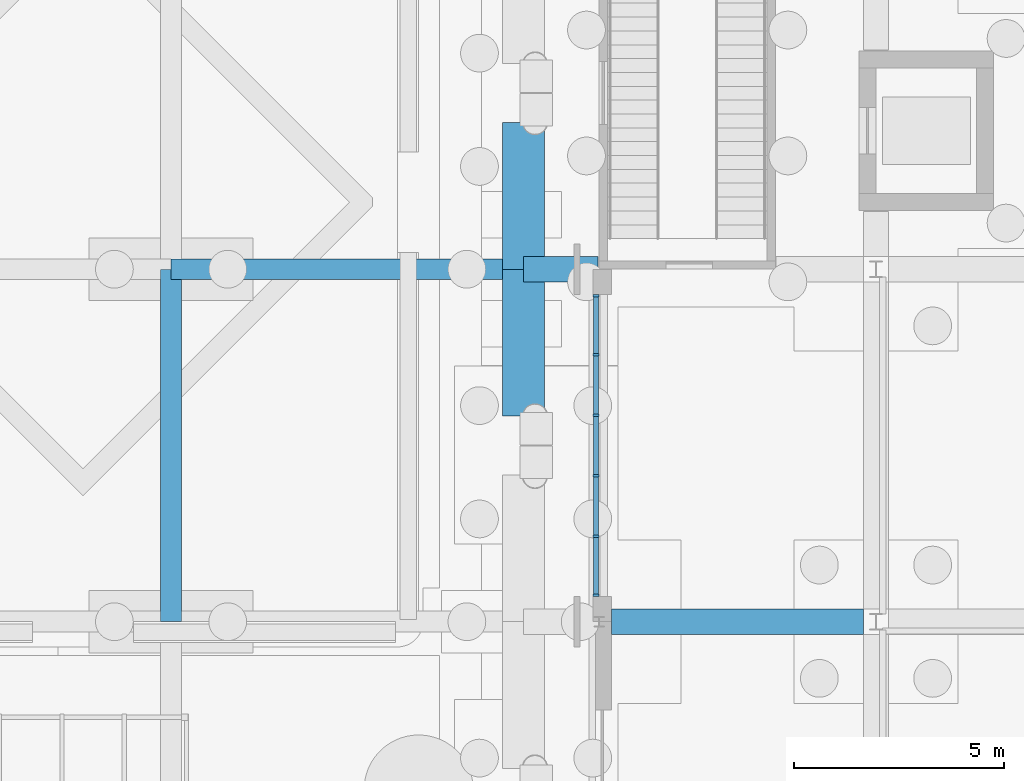
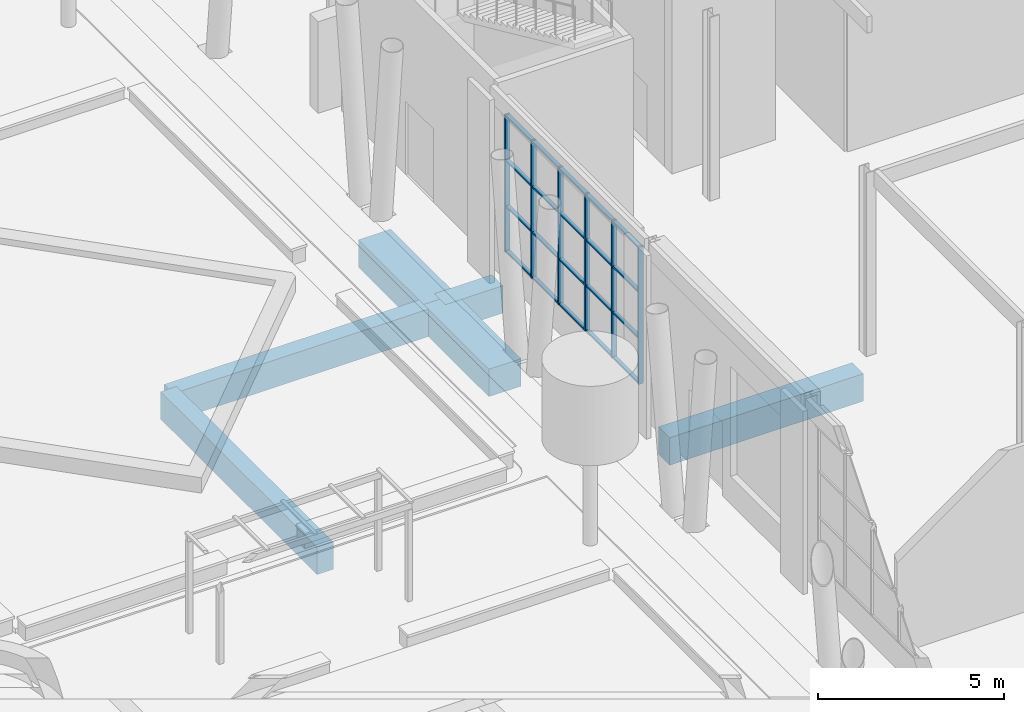
# One storey, part 47 of 222: 26 members, 6 beams, 1 element without a shape of its own.
"""IFC4 building model written with IfcOpenShell, lengths in metres."""

from ifc_helpers import new_model, si_unit, direction, frame, origin, origin_2d, place, context, subcontext, project, spatial, rectangle, extrude, material, material_profile, profile_set, type_object, element, aggregate, save


model = new_model("IFC4")

# Units and contexts
model_context = context("Model", 3, precision=1e-05, world=origin(), true_north=direction((0.0, 1.0)))
body_context = subcontext(model_context, "Body", "Model", "MODEL_VIEW")
ifc_project = project(units=[si_unit("LENGTHUNIT", "METRE"), si_unit("AREAUNIT", "SQUARE_METRE"), si_unit("VOLUMEUNIT", "CUBIC_METRE"), si_unit("PLANEANGLEUNIT", "RADIAN"), si_unit("MASSUNIT", "GRAM", prefix="KILO")], contexts=[model_context])

# Site, building, storey
site_placement = place(None, origin())
site = spatial("IfcSite", under=ifc_project, at=site_placement, CompositionType="ELEMENT")
building_placement = place(site_placement, origin())
building = spatial("IfcBuilding", under=site, at=building_placement, Name="Sava Quay Ferry Terminal", CompositionType="ELEMENT")
storey_placement = place(building_placement, origin())
storey = spatial("IfcBuildingStorey", under=building, at=storey_placement, Name="L00", CompositionType="ELEMENT", Elevation=0.0)

# Curtain wall, members
ifc_material_1 = material(Name="Aluminium and glass curtain wall, double low-e glazed", Category="aluminium")
curtain_wall_type = type_object("IfcCurtainWallType", Name="Curtain wall CW-F flank", PredefinedType="NOTDEFINED", material=ifc_material_1)
curtain_wall_placement = place(storey_placement, origin())
curtain_wall = element("IfcCurtainWall", 1, at=curtain_wall_placement, inside=storey, type_object=curtain_wall_type, Name="Curtain wall D-W L00 bay 5", PredefinedType="NOTDEFINED")
ifc_material_2 = material(Name="Aluminium EN AW-6063 T6", Category="aluminium")
ifc_material_profile_1 = material_profile(ifc_material_2, rectangle(XDim=0.14990234375, YDim=0.06005859375, at=origin_2d()), Name="Mullion 60x150 aluminium")
ifc_profile_set_1 = profile_set([ifc_material_profile_1], Name="Aluminium EN AW-6063 T6")
member_type_1 = type_object("IfcMemberType", Name="Mullion 60x150 aluminium", PredefinedType="MULLION", material=ifc_profile_set_1)
member_1_placement = place(storey_placement, frame((43.72509765625, 84.6298828125, 0.89990234375), z_axis=(0.0, 0.0, 1.0), x_axis=(-1.0, 0.0, 0.0)))
member_1 = element("IfcMember", 2, at=member_1_placement, type_object=member_type_1, Name="CW110 mullion 1", PredefinedType="MULLION", context=body_context, shape_type="SweptSolid", body=[
    extrude(rectangle(XDim=0.14990234375, YDim=0.06005859375, at=origin_2d()), origin(), (0.0, 0.0, 1.0), 4.5),
])
member_2_placement = place(storey_placement, frame((43.72509765625, 86.0400390625, 0.89990234375), z_axis=(0.0, 0.0, 1.0), x_axis=(-1.0, 0.0, 0.0)))
member_2 = element("IfcMember", 3, at=member_2_placement, type_object=member_type_1, Name="CW110 mullion 2", PredefinedType="MULLION", context=body_context, shape_type="SweptSolid", body=[
    extrude(rectangle(XDim=0.14990234375, YDim=0.06005859375, at=origin_2d()), origin(), (0.0, 0.0, 1.0), 4.5),
])
member_3_placement = place(storey_placement, frame((43.72509765625, 87.47998046875, 0.89990234375), z_axis=(0.0, 0.0, 1.0), x_axis=(-1.0, 0.0, 0.0)))
member_3 = element("IfcMember", 4, at=member_3_placement, type_object=member_type_1, Name="CW110 mullion 3", PredefinedType="MULLION", context=body_context, shape_type="SweptSolid", body=[
    extrude(rectangle(XDim=0.14990234375, YDim=0.06005859375, at=origin_2d()), origin(), (0.0, 0.0, 1.0), 4.5),
])
member_4_placement = place(storey_placement, frame((43.72509765625, 88.919921875, 0.89990234375), z_axis=(0.0, 0.0, 1.0), x_axis=(-1.0, 0.0, 0.0)))
member_4 = element("IfcMember", 5, at=member_4_placement, type_object=member_type_1, Name="CW110 mullion 4", PredefinedType="MULLION", context=body_context, shape_type="SweptSolid", body=[
    extrude(rectangle(XDim=0.14990234375, YDim=0.06005859375, at=origin_2d()), origin(), (0.0, 0.0, 1.0), 4.5),
])
member_5_placement = place(storey_placement, frame((43.72509765625, 90.360107421875, 0.89990234375), z_axis=(0.0, 0.0, 1.0), x_axis=(-1.0, 0.0, 0.0)))
member_5 = element("IfcMember", 6, at=member_5_placement, type_object=member_type_1, Name="CW110 mullion 5", PredefinedType="MULLION", context=body_context, shape_type="SweptSolid", body=[
    extrude(rectangle(XDim=0.14990234375, YDim=0.06005859375, at=origin_2d()), origin(), (0.0, 0.0, 1.0), 4.5),
])
member_6_placement = place(storey_placement, frame((43.72509765625, 91.77001953125, 0.89990234375), z_axis=(0.0, 0.0, 1.0), x_axis=(-1.0, 0.0, 0.0)))
member_6 = element("IfcMember", 7, at=member_6_placement, type_object=member_type_1, Name="CW110 mullion 6", PredefinedType="MULLION", context=body_context, shape_type="SweptSolid", body=[
    extrude(rectangle(XDim=0.14990234375, YDim=0.06005859375, at=origin_2d()), origin(), (0.0, 0.0, 1.0), 4.5),
])

# Beams
ifc_material_3 = material(Name="Concrete C40/50", Category="concrete")
ifc_material_profile_2 = material_profile(ifc_material_3, rectangle(XDim=1.0, YDim=0.89990234375, at=origin_2d()), Name="RC 1000x900")
ifc_profile_set_2 = profile_set([ifc_material_profile_2], Name="Concrete C40/50")
beam_type_1 = type_object("IfcBeamType", Name="RC deck beam 1000x900", PredefinedType="BEAM", material=ifc_profile_set_2)
for number, where, z_axis, x_axis, name in (
    (8, (42.0, 88.89990234375, -0.89990234375), (0.0, 1.0, 0.0), (-1.0, 0.0, 0.0), "Deck beam Y42-84"),
    (9, (42.0, 92.39990234375, -0.89990234375), (0.0, 1.0, 0.0), (-1.0, 0.0, 0.0), "Deck beam Y42-92.4"),
):
    element("IfcBeam", number, at=place(storey_placement, frame(where, z_axis=z_axis, x_axis=x_axis)), inside=storey, type_object=beam_type_1, Name=name, PredefinedType="BEAM", context=body_context, shape_type="SweptSolid", body=[
        extrude(rectangle(XDim=1.0, YDim=0.89990234375, at=origin_2d()), origin(), (0.0, 0.0, 1.0), 3.5),
    ])
ifc_material_4 = material(Name="Concrete C40/50", Category="concrete")
ifc_material_profile_3 = material_profile(ifc_material_4, rectangle(XDim=0.5, YDim=0.89990234375, at=origin_2d()), Name="RC 500x900")
ifc_profile_set_3 = profile_set([ifc_material_profile_3], Name="Concrete C40/50")
beam_type_2 = type_object("IfcBeamType", Name="RC deck beam 500x900", PredefinedType="BEAM", material=ifc_profile_set_3)
for number, where, z_axis, x_axis, name in (
    (10, (33.60009765625, 92.39990234375, -0.89990234375), (1.0, 0.0, 0.0), (0.0, 1.0, 0.0), "Deck beam X92.4-33.6"),
    (11, (33.60009765625, 84.0, -0.89990234375), (0.0, 1.0, 0.0), (-1.0, 0.0, 0.0), "Deck beam Y33.6-84"),
):
    element("IfcBeam", number, at=place(storey_placement, frame(where, z_axis=z_axis, x_axis=x_axis)), inside=storey, type_object=beam_type_2, Name=name, PredefinedType="BEAM", context=body_context, shape_type="SweptSolid", body=[
        extrude(rectangle(XDim=0.5, YDim=0.89990234375, at=origin_2d()), origin(), (0.0, 0.0, 1.0), 8.39990234375),
    ])
ifc_material_5 = material(Name="Concrete C40/50", Category="concrete")
ifc_material_profile_4 = material_profile(ifc_material_5, rectangle(XDim=0.60009765625, YDim=0.89990234375, at=origin_2d()), Name="RC 600x900")
ifc_profile_set_4 = profile_set([ifc_material_profile_4], Name="Concrete C40/50")
beam_type_3 = type_object("IfcBeamType", Name="RC deck beam 600x900", PredefinedType="BEAM", material=ifc_profile_set_4)
beam_1_placement = place(storey_placement, frame((44.10009765625, 84.0, -0.89990234375), z_axis=(1.0, 0.0, 0.0), x_axis=(0.0, 1.0, 0.0)))
element("IfcBeam", 12, at=beam_1_placement, inside=storey, type_object=beam_type_3, Name="Deck beam X84-42", PredefinedType="BEAM", context=body_context, shape_type="SweptSolid", body=[
    extrude(rectangle(XDim=0.60009765625, YDim=0.89990234375, at=origin_2d()), origin(), (0.0, 0.0, 1.0), 6.0),
])
beam_2_placement = place(storey_placement, frame((42.0, 92.39990234375, -0.89990234375), z_axis=(1.0, 0.0, 0.0), x_axis=(0.0, 1.0, 0.0)))
element("IfcBeam", 13, at=beam_2_placement, inside=storey, type_object=beam_type_3, Name="Deck beam X92.4-42", PredefinedType="BEAM", context=body_context, shape_type="SweptSolid", body=[
    extrude(rectangle(XDim=0.60009765625, YDim=0.89990234375, at=origin_2d()), origin(), (0.0, 0.0, 1.0), 1.780029296875),
])

# Member
ifc_material_6 = material(Name="Aluminium EN AW-6063 T6", Category="aluminium")
ifc_material_profile_5 = material_profile(ifc_material_6, rectangle(XDim=0.1201171875, YDim=0.050048828125, at=origin_2d()), Name="Transom 50x120 aluminium")
ifc_profile_set_5 = profile_set([ifc_material_profile_5], Name="Aluminium EN AW-6063 T6")
member_type_2 = type_object("IfcMemberType", Name="Transom 50x120 aluminium", PredefinedType="USERDEFINED", material=ifc_profile_set_5)
member_7_placement = place(storey_placement, frame((43.72509765625, 84.659912109375, 0.925048828125), z_axis=(0.0, 1.0, 0.0), x_axis=(-1.0, 0.0, 0.0)))
member_7 = element("IfcMember", 14, at=member_7_placement, type_object=member_type_2, Name="CW110 transom 1.1", ObjectType="TRANSOM", PredefinedType="USERDEFINED", context=body_context, shape_type="SweptSolid", body=[
    extrude(rectangle(XDim=0.1201171875, YDim=0.050048828125, at=origin_2d()), origin(), (0.0, 0.0, 1.0), 1.35009765625),
])

member_8_placement = place(storey_placement, frame((43.72509765625, 84.659912109375, 2.39990234375), z_axis=(0.0, 1.0, 0.0), x_axis=(-1.0, 0.0, 0.0)))
member_8 = element("IfcMember", 15, at=member_8_placement, type_object=member_type_2, Name="CW110 transom 1.2", ObjectType="TRANSOM", PredefinedType="USERDEFINED", context=body_context, shape_type="SweptSolid", body=[
    extrude(rectangle(XDim=0.1201171875, YDim=0.050048828125, at=origin_2d()), origin(), (0.0, 0.0, 1.0), 1.35009765625),
])

member_9_placement = place(storey_placement, frame((43.72509765625, 84.659912109375, 3.89990234375), z_axis=(0.0, 1.0, 0.0), x_axis=(-1.0, 0.0, 0.0)))
member_9 = element("IfcMember", 16, at=member_9_placement, type_object=member_type_2, Name="CW110 transom 1.3", ObjectType="TRANSOM", PredefinedType="USERDEFINED", context=body_context, shape_type="SweptSolid", body=[
    extrude(rectangle(XDim=0.1201171875, YDim=0.050048828125, at=origin_2d()), origin(), (0.0, 0.0, 1.0), 1.35009765625),
])

member_10_placement = place(storey_placement, frame((43.72509765625, 84.659912109375, 5.375), z_axis=(0.0, 1.0, 0.0), x_axis=(-1.0, 0.0, 0.0)))
member_10 = element("IfcMember", 17, at=member_10_placement, type_object=member_type_2, Name="CW110 transom 1.4", ObjectType="TRANSOM", PredefinedType="USERDEFINED", context=body_context, shape_type="SweptSolid", body=[
    extrude(rectangle(XDim=0.1201171875, YDim=0.050048828125, at=origin_2d()), origin(), (0.0, 0.0, 1.0), 1.35009765625),
])

member_11_placement = place(storey_placement, frame((43.72509765625, 86.070068359375, 0.925048828125), z_axis=(0.0, 1.0, 0.0), x_axis=(-1.0, 0.0, 0.0)))
member_11 = element("IfcMember", 18, at=member_11_placement, type_object=member_type_2, Name="CW110 transom 2.1", ObjectType="TRANSOM", PredefinedType="USERDEFINED", context=body_context, shape_type="SweptSolid", body=[
    extrude(rectangle(XDim=0.1201171875, YDim=0.050048828125, at=origin_2d()), origin(), (0.0, 0.0, 1.0), 1.3798828125),
])

member_12_placement = place(storey_placement, frame((43.72509765625, 86.070068359375, 2.39990234375), z_axis=(0.0, 1.0, 0.0), x_axis=(-1.0, 0.0, 0.0)))
member_12 = element("IfcMember", 19, at=member_12_placement, type_object=member_type_2, Name="CW110 transom 2.2", ObjectType="TRANSOM", PredefinedType="USERDEFINED", context=body_context, shape_type="SweptSolid", body=[
    extrude(rectangle(XDim=0.1201171875, YDim=0.050048828125, at=origin_2d()), origin(), (0.0, 0.0, 1.0), 1.3798828125),
])

member_13_placement = place(storey_placement, frame((43.72509765625, 86.070068359375, 3.89990234375), z_axis=(0.0, 1.0, 0.0), x_axis=(-1.0, 0.0, 0.0)))
member_13 = element("IfcMember", 20, at=member_13_placement, type_object=member_type_2, Name="CW110 transom 2.3", ObjectType="TRANSOM", PredefinedType="USERDEFINED", context=body_context, shape_type="SweptSolid", body=[
    extrude(rectangle(XDim=0.1201171875, YDim=0.050048828125, at=origin_2d()), origin(), (0.0, 0.0, 1.0), 1.3798828125),
])

member_14_placement = place(storey_placement, frame((43.72509765625, 86.070068359375, 5.375), z_axis=(0.0, 1.0, 0.0), x_axis=(-1.0, 0.0, 0.0)))
member_14 = element("IfcMember", 21, at=member_14_placement, type_object=member_type_2, Name="CW110 transom 2.4", ObjectType="TRANSOM", PredefinedType="USERDEFINED", context=body_context, shape_type="SweptSolid", body=[
    extrude(rectangle(XDim=0.1201171875, YDim=0.050048828125, at=origin_2d()), origin(), (0.0, 0.0, 1.0), 1.3798828125),
])

member_15_placement = place(storey_placement, frame((43.72509765625, 87.510009765625, 0.925048828125), z_axis=(0.0, 1.0, 0.0), x_axis=(-1.0, 0.0, 0.0)))
member_15 = element("IfcMember", 22, at=member_15_placement, type_object=member_type_2, Name="CW110 transom 3.1", ObjectType="TRANSOM", PredefinedType="USERDEFINED", context=body_context, shape_type="SweptSolid", body=[
    extrude(rectangle(XDim=0.1201171875, YDim=0.050048828125, at=origin_2d()), origin(), (0.0, 0.0, 1.0), 1.3798828125),
])

member_16_placement = place(storey_placement, frame((43.72509765625, 87.510009765625, 2.39990234375), z_axis=(0.0, 1.0, 0.0), x_axis=(-1.0, 0.0, 0.0)))
member_16 = element("IfcMember", 23, at=member_16_placement, type_object=member_type_2, Name="CW110 transom 3.2", ObjectType="TRANSOM", PredefinedType="USERDEFINED", context=body_context, shape_type="SweptSolid", body=[
    extrude(rectangle(XDim=0.1201171875, YDim=0.050048828125, at=origin_2d()), origin(), (0.0, 0.0, 1.0), 1.3798828125),
])

member_17_placement = place(storey_placement, frame((43.72509765625, 87.510009765625, 3.89990234375), z_axis=(0.0, 1.0, 0.0), x_axis=(-1.0, 0.0, 0.0)))
member_17 = element("IfcMember", 24, at=member_17_placement, type_object=member_type_2, Name="CW110 transom 3.3", ObjectType="TRANSOM", PredefinedType="USERDEFINED", context=body_context, shape_type="SweptSolid", body=[
    extrude(rectangle(XDim=0.1201171875, YDim=0.050048828125, at=origin_2d()), origin(), (0.0, 0.0, 1.0), 1.3798828125),
])

member_18_placement = place(storey_placement, frame((43.72509765625, 87.510009765625, 5.375), z_axis=(0.0, 1.0, 0.0), x_axis=(-1.0, 0.0, 0.0)))
member_18 = element("IfcMember", 25, at=member_18_placement, type_object=member_type_2, Name="CW110 transom 3.4", ObjectType="TRANSOM", PredefinedType="USERDEFINED", context=body_context, shape_type="SweptSolid", body=[
    extrude(rectangle(XDim=0.1201171875, YDim=0.050048828125, at=origin_2d()), origin(), (0.0, 0.0, 1.0), 1.3798828125),
])

member_19_placement = place(storey_placement, frame((43.72509765625, 88.949951171875, 0.925048828125), z_axis=(0.0, 1.0, 0.0), x_axis=(-1.0, 0.0, 0.0)))
member_19 = element("IfcMember", 26, at=member_19_placement, type_object=member_type_2, Name="CW110 transom 4.1", ObjectType="TRANSOM", PredefinedType="USERDEFINED", context=body_context, shape_type="SweptSolid", body=[
    extrude(rectangle(XDim=0.1201171875, YDim=0.050048828125, at=origin_2d()), origin(), (0.0, 0.0, 1.0), 1.380126953125),
])

member_20_placement = place(storey_placement, frame((43.72509765625, 88.949951171875, 2.39990234375), z_axis=(0.0, 1.0, 0.0), x_axis=(-1.0, 0.0, 0.0)))
member_20 = element("IfcMember", 27, at=member_20_placement, type_object=member_type_2, Name="CW110 transom 4.2", ObjectType="TRANSOM", PredefinedType="USERDEFINED", context=body_context, shape_type="SweptSolid", body=[
    extrude(rectangle(XDim=0.1201171875, YDim=0.050048828125, at=origin_2d()), origin(), (0.0, 0.0, 1.0), 1.380126953125),
])

member_21_placement = place(storey_placement, frame((43.72509765625, 88.949951171875, 3.89990234375), z_axis=(0.0, 1.0, 0.0), x_axis=(-1.0, 0.0, 0.0)))
member_21 = element("IfcMember", 28, at=member_21_placement, type_object=member_type_2, Name="CW110 transom 4.3", ObjectType="TRANSOM", PredefinedType="USERDEFINED", context=body_context, shape_type="SweptSolid", body=[
    extrude(rectangle(XDim=0.1201171875, YDim=0.050048828125, at=origin_2d()), origin(), (0.0, 0.0, 1.0), 1.380126953125),
])

member_22_placement = place(storey_placement, frame((43.72509765625, 88.949951171875, 5.375), z_axis=(0.0, 1.0, 0.0), x_axis=(-1.0, 0.0, 0.0)))
member_22 = element("IfcMember", 29, at=member_22_placement, type_object=member_type_2, Name="CW110 transom 4.4", ObjectType="TRANSOM", PredefinedType="USERDEFINED", context=body_context, shape_type="SweptSolid", body=[
    extrude(rectangle(XDim=0.1201171875, YDim=0.050048828125, at=origin_2d()), origin(), (0.0, 0.0, 1.0), 1.380126953125),
])

member_23_placement = place(storey_placement, frame((43.72509765625, 90.389892578125, 0.925048828125), z_axis=(0.0, 1.0, 0.0), x_axis=(-1.0, 0.0, 0.0)))
member_23 = element("IfcMember", 30, at=member_23_placement, type_object=member_type_2, Name="CW110 transom 5.1", ObjectType="TRANSOM", PredefinedType="USERDEFINED", context=body_context, shape_type="SweptSolid", body=[
    extrude(rectangle(XDim=0.1201171875, YDim=0.050048828125, at=origin_2d()), origin(), (0.0, 0.0, 1.0), 1.35009765625),
])

member_24_placement = place(storey_placement, frame((43.72509765625, 90.389892578125, 2.39990234375), z_axis=(0.0, 1.0, 0.0), x_axis=(-1.0, 0.0, 0.0)))
member_24 = element("IfcMember", 31, at=member_24_placement, type_object=member_type_2, Name="CW110 transom 5.2", ObjectType="TRANSOM", PredefinedType="USERDEFINED", context=body_context, shape_type="SweptSolid", body=[
    extrude(rectangle(XDim=0.1201171875, YDim=0.050048828125, at=origin_2d()), origin(), (0.0, 0.0, 1.0), 1.35009765625),
])

member_25_placement = place(storey_placement, frame((43.72509765625, 90.389892578125, 3.89990234375), z_axis=(0.0, 1.0, 0.0), x_axis=(-1.0, 0.0, 0.0)))
member_25 = element("IfcMember", 32, at=member_25_placement, type_object=member_type_2, Name="CW110 transom 5.3", ObjectType="TRANSOM", PredefinedType="USERDEFINED", context=body_context, shape_type="SweptSolid", body=[
    extrude(rectangle(XDim=0.1201171875, YDim=0.050048828125, at=origin_2d()), origin(), (0.0, 0.0, 1.0), 1.35009765625),
])

member_26_placement = place(storey_placement, frame((43.72509765625, 90.389892578125, 5.375), z_axis=(0.0, 1.0, 0.0), x_axis=(-1.0, 0.0, 0.0)))
member_26 = element("IfcMember", 33, at=member_26_placement, type_object=member_type_2, Name="CW110 transom 5.4", ObjectType="TRANSOM", PredefinedType="USERDEFINED", context=body_context, shape_type="SweptSolid", body=[
    extrude(rectangle(XDim=0.1201171875, YDim=0.050048828125, at=origin_2d()), origin(), (0.0, 0.0, 1.0), 1.35009765625),
])

aggregate(curtain_wall, [member_1, member_2, member_3, member_4, member_5, member_6, member_7, member_8, member_9, member_10, member_11, member_12, member_13, member_14, member_15, member_16, member_17, member_18, member_19, member_20, member_21, member_22, member_23, member_24, member_25, member_26])

save(model, "model.ifc")
